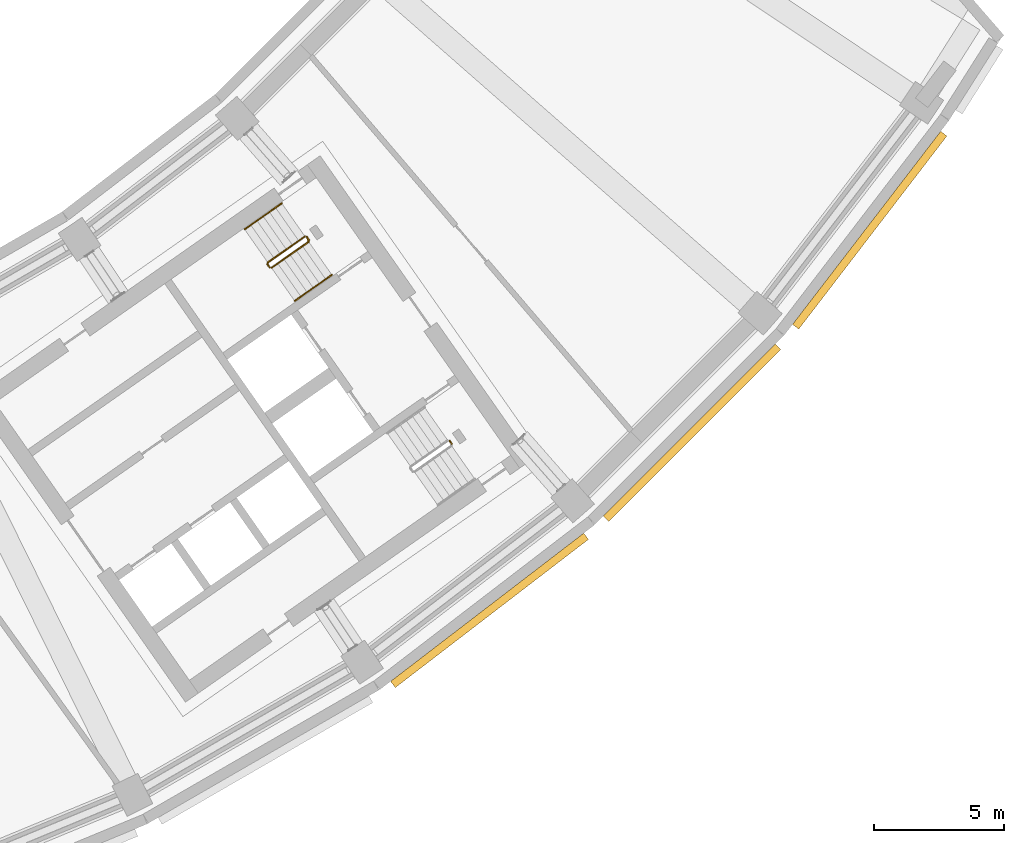
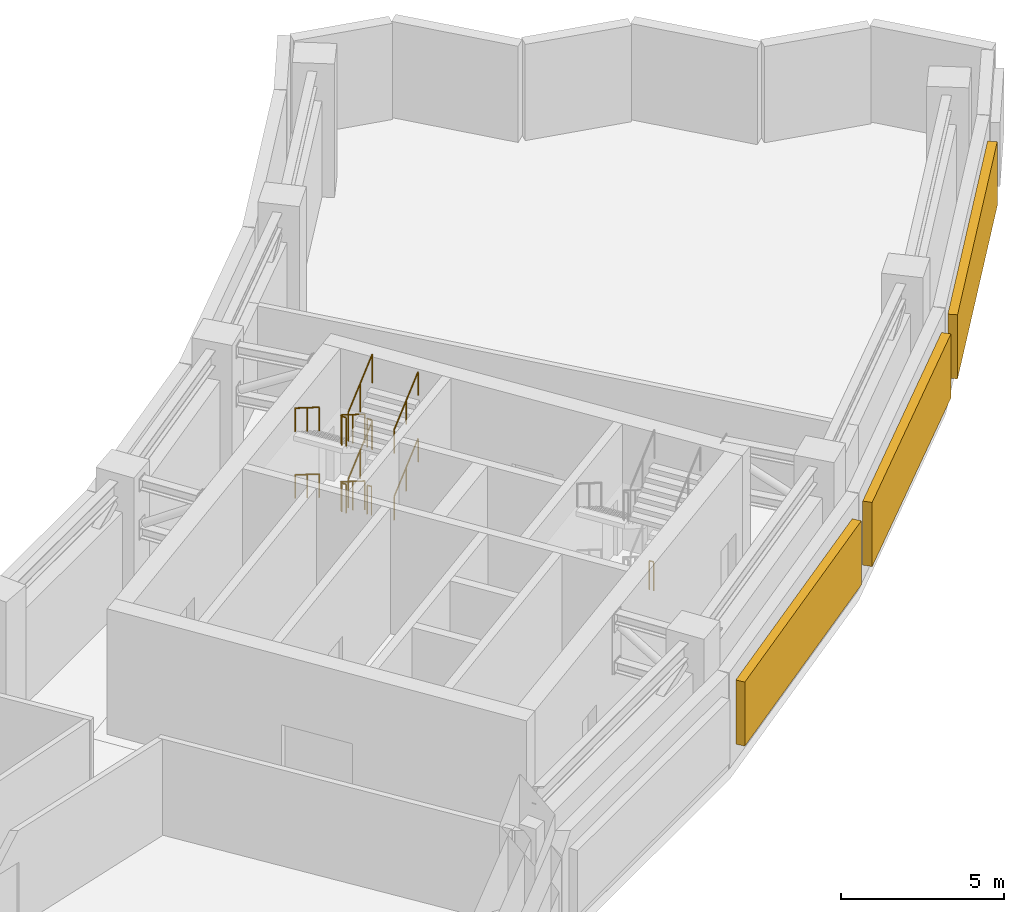
# One storey, part 23 of 24: 10 railings, 3 shading devices.
"""IFC4 building model written with IfcOpenShell, lengths in metres."""

from ifc_helpers import new_model, si_unit, direction, frame, origin, origin_2d, place, context, subcontext, project, spatial, rectangle, circle, extrude, material, type_object, element, save


model = new_model("IFC4")

# Units and contexts
model_context = context("Model", 3, precision=1e-05, world=origin(), true_north=direction((0.0, 1.0)))
body_context = subcontext(model_context, "Body", "Model", "MODEL_VIEW")
ifc_project = project(units=[si_unit("LENGTHUNIT", "METRE"), si_unit("AREAUNIT", "SQUARE_METRE"), si_unit("VOLUMEUNIT", "CUBIC_METRE"), si_unit("PLANEANGLEUNIT", "RADIAN"), si_unit("MASSUNIT", "GRAM", prefix="KILO")], contexts=[model_context])

# Site, building, storey
site_placement = place(None, origin())
site = spatial("IfcSite", under=ifc_project, at=site_placement, CompositionType="ELEMENT")
building_placement = place(site_placement, origin())
building = spatial("IfcBuilding", under=site, at=building_placement, Name="Qamariyya Broadcast Tower", CompositionType="ELEMENT")
storey_placement = place(building_placement, frame((0.0, 0.0, 198.699951171875)))
storey = spatial("IfcBuildingStorey", under=building, at=storey_placement, Name="L47", CompositionType="ELEMENT", Elevation=198.699951171875)

# Railings
ifc_material_1 = material(Name="Painted steel", Category="steel")
railing_type_1 = type_object("IfcRailingType", Name="Stair guard", PredefinedType="GUARDRAIL", material=ifc_material_1)
railing_1_placement = place(storey_placement, frame((41.003173828125, -48.320068359375, 0.1787109375)))
element("IfcRailing", 1, at=railing_1_placement, inside=storey, type_object=railing_type_1, Name="L47 ST-E2 stair guard 1", PredefinedType="GUARDRAIL", context=body_context, shape_type="SweptSolid", body=[
    extrude(circle(Radius=0.02392578125, at=origin_2d()), frame((0.0, 0.0, 1.076171875), z_axis=(-0.697532699334, -0.488440163562, 0.524284598266), x_axis=(0.573594173421, -0.819139624372, 0.0)), (0.0, 0.0, 1.0), 2.04345703125),
    extrude(circle(Radius=0.02392578125, at=origin_2d()), frame((-1.42529296875, -0.998046875, 2.1474609375), z_axis=(-0.172799478008, -0.984957024646, 0.0), x_axis=(0.984957024646, -0.172799478008, 0.0)), (0.0, 0.0, 1.0), 0.070556640625),
    extrude(circle(Radius=0.02392578125, at=origin_2d()), frame((-1.4375, -1.067626953125, 2.1474609375), z_axis=(0.573353020881, -0.819308436089, 0.0), x_axis=(0.819308436089, 0.573353020881, 0.0)), (0.0, 0.0, 1.0), 0.14990234375),
    extrude(circle(Radius=0.02099609375, at=origin_2d()), origin(), (0.0, 0.0, 1.0), 1.052001953125),
    extrude(circle(Radius=0.02099609375, at=origin_2d()), frame((-0.712646484375, -0.4990234375, 0.53564453125)), (0.0, 0.0, 1.0), 1.052001953125),
    extrude(circle(Radius=0.02099609375, at=origin_2d()), frame((-1.42529296875, -0.998046875, 1.0712890625)), (0.0, 0.0, 1.0), 1.052001953125),
    extrude(circle(Radius=0.02099609375, at=origin_2d()), frame((-1.4375, -1.067626953125, 1.0712890625)), (0.0, 0.0, 1.0), 1.052001953125),
    extrude(circle(Radius=0.02099609375, at=origin_2d()), frame((-1.3515625, -1.1904296875, 1.0712890625)), (0.0, 0.0, 1.0), 1.052001953125),
])
railing_2_placement = place(storey_placement, frame((39.721435546875, -49.52294921875, 1.4287109375)))
element("IfcRailing", 2, at=railing_2_placement, inside=storey, type_object=railing_type_1, Name="L47 ST-E2 stair guard 2", PredefinedType="GUARDRAIL", context=body_context, shape_type="SweptSolid", body=[
    extrude(circle(Radius=0.02392578125, at=origin_2d()), frame((0.0, 0.0, 1.076171875), z_axis=(0.697532699334, 0.488440163562, 0.524284598266), x_axis=(-0.573594173421, 0.819139624372, 0.0)), (0.0, 0.0, 1.0), 2.04345703125),
    extrude(circle(Radius=0.02392578125, at=origin_2d()), frame((1.42529296875, 0.998046875, 2.1474609375), z_axis=(-0.35747155403, 0.93392402692, 0.0), x_axis=(-0.93392402692, -0.35747155403, 0.0)), (0.0, 0.0, 1.0), 0.206298828125),
    extrude(circle(Radius=0.02392578125, at=origin_2d()), frame((1.3515625, 1.190673828125, 2.1474609375), z_axis=(0.572588637393, -0.819842821722, 0.0), x_axis=(0.819842821722, 0.572588637393, 0.0)), (0.0, 0.0, 1.0), 0.150146484375),
    extrude(circle(Radius=0.02099609375, at=origin_2d()), origin(), (0.0, 0.0, 1.0), 1.052001953125),
    extrude(circle(Radius=0.02099609375, at=origin_2d()), frame((0.712646484375, 0.4990234375, 0.53564453125)), (0.0, 0.0, 1.0), 1.052001953125),
    extrude(circle(Radius=0.02099609375, at=origin_2d()), frame((1.42529296875, 0.998046875, 1.0712890625)), (0.0, 0.0, 1.0), 1.052001953125),
    extrude(circle(Radius=0.02099609375, at=origin_2d()), frame((1.3515625, 1.190673828125, 1.0712890625)), (0.0, 0.0, 1.0), 1.052001953125),
    extrude(circle(Radius=0.02099609375, at=origin_2d()), frame((1.4375, 1.067626953125, 1.0712890625)), (0.0, 0.0, 1.0), 1.052001953125),
])
railing_3_placement = place(storey_placement, frame((41.003173828125, -48.320068359375, 2.6787109375)))
element("IfcRailing", 3, at=railing_3_placement, inside=storey, type_object=railing_type_1, Name="L47 ST-E2 stair guard 3", PredefinedType="GUARDRAIL", context=body_context, shape_type="SweptSolid", body=[
    extrude(circle(Radius=0.02392578125, at=origin_2d()), frame((0.0, 0.0, 1.076171875), z_axis=(-0.697532699334, -0.488440163562, 0.524284598266), x_axis=(0.573594173421, -0.819139624372, 0.0)), (0.0, 0.0, 1.0), 2.04345703125),
    extrude(circle(Radius=0.02392578125, at=origin_2d()), frame((-1.42529296875, -0.998046875, 2.1474609375), z_axis=(-0.172799478008, -0.984957024646, 0.0), x_axis=(0.984957024646, -0.172799478008, 0.0)), (0.0, 0.0, 1.0), 0.070556640625),
    extrude(circle(Radius=0.02392578125, at=origin_2d()), frame((-1.4375, -1.067626953125, 2.1474609375), z_axis=(0.573353020881, -0.819308436089, 0.0), x_axis=(0.819308436089, 0.573353020881, 0.0)), (0.0, 0.0, 1.0), 0.14990234375),
    extrude(circle(Radius=0.02099609375, at=origin_2d()), origin(), (0.0, 0.0, 1.0), 1.052001953125),
    extrude(circle(Radius=0.02099609375, at=origin_2d()), frame((-0.712646484375, -0.4990234375, 0.53564453125)), (0.0, 0.0, 1.0), 1.052001953125),
    extrude(circle(Radius=0.02099609375, at=origin_2d()), frame((-1.42529296875, -0.998046875, 1.0712890625)), (0.0, 0.0, 1.0), 1.052001953125),
    extrude(circle(Radius=0.02099609375, at=origin_2d()), frame((-1.4375, -1.067626953125, 1.0712890625)), (0.0, 0.0, 1.0), 1.052001953125),
    extrude(circle(Radius=0.02099609375, at=origin_2d()), frame((-1.3515625, -1.1904296875, 1.0712890625)), (0.0, 0.0, 1.0), 1.052001953125),
])
railing_4_placement = place(storey_placement, frame((39.721435546875, -49.52294921875, 3.9287109375)))
element("IfcRailing", 4, at=railing_4_placement, inside=storey, type_object=railing_type_1, Name="L47 ST-E2 stair guard 4", PredefinedType="GUARDRAIL", context=body_context, shape_type="SweptSolid", body=[
    extrude(circle(Radius=0.02392578125, at=origin_2d()), frame((0.0, 0.0, 1.076171875), z_axis=(0.697532699334, 0.488440163562, 0.524284598266), x_axis=(-0.573594173421, 0.819139624372, 0.0)), (0.0, 0.0, 1.0), 2.04345703125),
    extrude(circle(Radius=0.02099609375, at=origin_2d()), origin(), (0.0, 0.0, 1.0), 1.052001953125),
    extrude(circle(Radius=0.02099609375, at=origin_2d()), frame((0.712646484375, 0.4990234375, 0.53564453125)), (0.0, 0.0, 1.0), 1.052001953125),
    extrude(circle(Radius=0.02099609375, at=origin_2d()), frame((1.42529296875, 0.998046875, 1.0712890625)), (0.0, 0.0, 1.0), 1.052001953125),
])
railing_5_placement = place(storey_placement, frame((41.072998046875, -48.332275390625, 0.0)))
element("IfcRailing", 5, at=railing_5_placement, inside=storey, type_object=railing_type_1, Name="L47 ST-E2 stair guard 5", PredefinedType="GUARDRAIL", context=body_context, shape_type="SweptSolid", body=[
    extrude(circle(Radius=0.02392578125, at=origin_2d()), frame((0.0, 0.0, 1.076171875), z_axis=(0.572588637393, -0.819842821722, 0.0), x_axis=(0.819842821722, 0.572588637393, 0.0)), (0.0, 0.0, 1.0), 0.150146484375),
    extrude(circle(Radius=0.02099609375, at=origin_2d()), origin(), (0.0, 0.0, 1.0), 1.052001953125),
    extrude(circle(Radius=0.02099609375, at=origin_2d()), frame((0.0859375, -0.123046875, 0.0)), (0.0, 0.0, 1.0), 1.052001953125),
])
railing_6_placement = place(storey_placement, frame((46.550537109375, -56.1552734375, 0.0)))
element("IfcRailing", 6, at=railing_6_placement, inside=storey, type_object=railing_type_1, Name="L47 ST-E1 stair guard 5", PredefinedType="GUARDRAIL", context=body_context, shape_type="SweptSolid", body=[
    extrude(circle(Radius=0.02392578125, at=origin_2d()), frame((0.0, 0.0, 1.076171875), z_axis=(0.574444878118, -0.818543268254, 0.0), x_axis=(0.818543268254, 0.574444878118, 0.0)), (0.0, 0.0, 1.0), 0.150146484375),
    extrude(circle(Radius=0.02099609375, at=origin_2d()), origin(), (0.0, 0.0, 1.0), 1.052001953125),
    extrude(circle(Radius=0.02099609375, at=origin_2d()), frame((0.086181640625, -0.122802734375, 0.0)), (0.0, 0.0, 1.0), 1.052001953125),
])
ifc_material_2 = material(Name="Stainless steel", Category="steel")
railing_type_2 = type_object("IfcRailingType", Name="Stair handrail", PredefinedType="HANDRAIL", material=ifc_material_2)
railing_7_placement = place(storey_placement, frame((40.1142578125, -47.05029296875, 0.1787109375)))
element("IfcRailing", 7, at=railing_7_placement, inside=storey, type_object=railing_type_2, Name="L47 ST-E2 stair handrail 1", PredefinedType="HANDRAIL", context=body_context, shape_type="SweptSolid", body=[
    extrude(circle(Radius=0.02392578125, at=origin_2d()), frame((0.0, 0.0, 0.8759765625), z_axis=(-0.697532699334, -0.488440163562, 0.524284598266), x_axis=(0.573594173421, -0.819139624372, 0.0)), (0.0, 0.0, 1.0), 2.04345703125),
    extrude(circle(Radius=0.02099609375, at=origin_2d()), origin(), (0.0, 0.0, 1.0), 0.851806640625),
    extrude(circle(Radius=0.02099609375, at=origin_2d()), frame((-0.712646484375, -0.4990234375, 0.53564453125)), (0.0, 0.0, 1.0), 0.851806640625),
    extrude(circle(Radius=0.02099609375, at=origin_2d()), frame((-1.42529296875, -0.998046875, 1.0712890625)), (0.0, 0.0, 1.0), 0.851806640625),
])
railing_8_placement = place(storey_placement, frame((40.6103515625, -50.79248046875, 1.4287109375)))
element("IfcRailing", 8, at=railing_8_placement, inside=storey, type_object=railing_type_2, Name="L47 ST-E2 stair handrail 2", PredefinedType="HANDRAIL", context=body_context, shape_type="SweptSolid", body=[
    extrude(circle(Radius=0.02392578125, at=origin_2d()), frame((0.0, 0.0, 0.8759765625), z_axis=(0.697532699334, 0.488440163562, 0.524284598266), x_axis=(-0.573594173421, 0.819139624372, 0.0)), (0.0, 0.0, 1.0), 2.04345703125),
    extrude(circle(Radius=0.02099609375, at=origin_2d()), origin(), (0.0, 0.0, 1.0), 0.851806640625),
    extrude(circle(Radius=0.02099609375, at=origin_2d()), frame((0.712646484375, 0.4990234375, 0.53564453125)), (0.0, 0.0, 1.0), 0.851806640625),
    extrude(circle(Radius=0.02099609375, at=origin_2d()), frame((1.42529296875, 0.998046875, 1.0712890625)), (0.0, 0.0, 1.0), 0.851806640625),
])
railing_9_placement = place(storey_placement, frame((40.1142578125, -47.05029296875, 2.6787109375)))
element("IfcRailing", 9, at=railing_9_placement, inside=storey, type_object=railing_type_2, Name="L47 ST-E2 stair handrail 3", PredefinedType="HANDRAIL", context=body_context, shape_type="SweptSolid", body=[
    extrude(circle(Radius=0.02392578125, at=origin_2d()), frame((0.0, 0.0, 0.8759765625), z_axis=(-0.697532699334, -0.488440163562, 0.524284598266), x_axis=(0.573594173421, -0.819139624372, 0.0)), (0.0, 0.0, 1.0), 2.04345703125),
    extrude(circle(Radius=0.02099609375, at=origin_2d()), origin(), (0.0, 0.0, 1.0), 0.851806640625),
    extrude(circle(Radius=0.02099609375, at=origin_2d()), frame((-0.712646484375, -0.4990234375, 0.53564453125)), (0.0, 0.0, 1.0), 0.851806640625),
    extrude(circle(Radius=0.02099609375, at=origin_2d()), frame((-1.42529296875, -0.998046875, 1.0712890625)), (0.0, 0.0, 1.0), 0.851806640625),
])
railing_10_placement = place(storey_placement, frame((40.6103515625, -50.79248046875, 3.9287109375)))
element("IfcRailing", 10, at=railing_10_placement, inside=storey, type_object=railing_type_2, Name="L47 ST-E2 stair handrail 4", PredefinedType="HANDRAIL", context=body_context, shape_type="SweptSolid", body=[
    extrude(circle(Radius=0.02392578125, at=origin_2d()), frame((0.0, 0.0, 0.8759765625), z_axis=(0.697532699334, 0.488440163562, 0.524284598266), x_axis=(-0.573594173421, 0.819139624372, 0.0)), (0.0, 0.0, 1.0), 2.04345703125),
    extrude(circle(Radius=0.02099609375, at=origin_2d()), origin(), (0.0, 0.0, 1.0), 0.851806640625),
    extrude(circle(Radius=0.02099609375, at=origin_2d()), frame((0.712646484375, 0.4990234375, 0.53564453125)), (0.0, 0.0, 1.0), 0.851806640625),
    extrude(circle(Radius=0.02099609375, at=origin_2d()), frame((1.42529296875, 0.998046875, 1.0712890625)), (0.0, 0.0, 1.0), 0.851806640625),
])

# Shading devices
ifc_material_3 = material(Name="Glazed terracotta", Category="masonry")
shading_device_type = type_object("IfcShadingDeviceType", Name="Terracotta louvre bank", PredefinedType="USERDEFINED", material=ifc_material_3)
for number, where, z_axis, x_axis, name in (
    (11, (48.08056640625, -62.65966796875, 0.60009765625), (0.0, 0.0, 1.0), (0.793353340291, 0.608761429009, 0.0), "e-lv-L47-12"),
    (12, (55.847900390625, -55.847900390625, 0.60009765625), (0.0, 0.0, 1.0), (0.707106781187, 0.707106781187, 0.0), "e-lv-L47-13"),
    (13, (62.65966796875, -48.08056640625, 0.60009765625), (0.0, 0.0, 1.0), (0.608761429009, 0.793353340291, 0.0), "e-lv-L47-14"),
):
    element("IfcShadingDevice", number, at=place(storey_placement, frame(where, z_axis=z_axis, x_axis=x_axis)), inside=storey, type_object=shading_device_type, Name=name, ObjectType="LOUVRE", PredefinedType="USERDEFINED", context=body_context, shape_type="SweptSolid", body=[
        extrude(rectangle(XDim=9.333740234375, YDim=0.300048828125, at=origin_2d()), origin(), (0.0, 0.0, 1.0), 2.39990234375),
    ])

save(model, "model.ifc")
